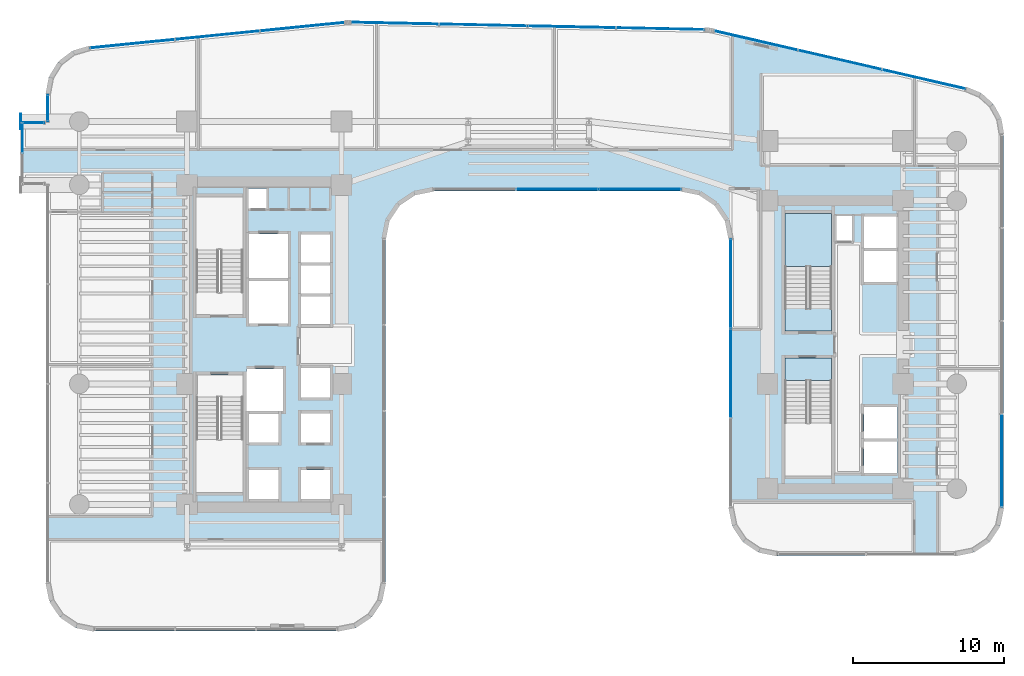
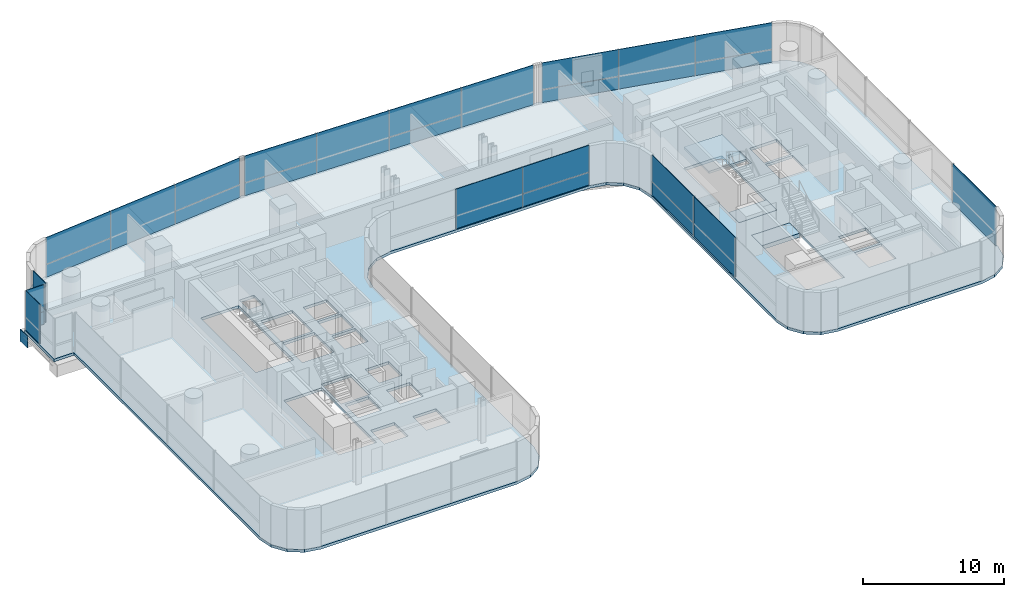
# One storey, part 30 of 40: 29 plates, 4 slabs, 10 elements without a shape of their own.
"""IFC4 building model written with IfcOpenShell, lengths in metres."""

from ifc_helpers import new_model, si_unit, direction, frame, origin, origin_2d, place, context, subcontext, project, spatial, polyline, rectangle, outline, extrude, source, transform, mapped, material, layer, layer_set, type_object, element, aggregate, save


model = new_model("IFC4")

# Units and contexts
model_context = context("Model", 3, precision=1e-05, world=origin(), true_north=direction((0.0, 1.0)))
body_context = subcontext(model_context, "Body", "Model", "MODEL_VIEW")
ifc_project = project(units=[si_unit("LENGTHUNIT", "METRE"), si_unit("AREAUNIT", "SQUARE_METRE"), si_unit("VOLUMEUNIT", "CUBIC_METRE"), si_unit("PLANEANGLEUNIT", "RADIAN"), si_unit("MASSUNIT", "GRAM", prefix="KILO")], contexts=[model_context])

# Site, building, storey
site_placement = place(None, origin())
site = spatial("IfcSite", under=ifc_project, at=site_placement, CompositionType="ELEMENT")
building_placement = place(site_placement, origin())
building = spatial("IfcBuilding", under=site, at=building_placement, Name="Valdorenza Pilgrim Sanctuary Tower", CompositionType="ELEMENT")
storey_placement = place(building_placement, frame((0.0, 0.0, 48.199951171875)))
storey = spatial("IfcBuildingStorey", under=building, at=storey_placement, Name="L11", CompositionType="ELEMENT", Elevation=48.199951171875)

# Slab
ifc_material_1 = material(Name="Concrete C40/50", Category="concrete")
ifc_layer_1 = layer(ifc_material_1, 0.239990234375, Name="Concrete C40/50")
ifc_layer_set_1 = layer_set([ifc_layer_1], Name="Concrete C40/50")
slab_type_1 = type_object("IfcSlabType", Name="SLAB-FLR-220", PredefinedType="FLOOR", material=ifc_layer_set_1)
slab_1_placement = place(storey_placement, frame((0.0, 0.0, -0.239990234375)))
element("IfcSlab", 1, at=slab_1_placement, inside=storey, type_object=slab_type_1, Name="L11 Structural Floor Slab 1", PredefinedType="FLOOR", context=body_context, shape_type="SweptSolid", body=[
    extrude(outline(polyline([(-31.785888671875, 17.754638671875), (-31.172607421875, 18.751220703125), (-30.241943359375, 19.460693359375), (-29.118408203125, 19.7880859375), (-12.192138671875, 21.480712890625), (-11.999755859375, 21.494140625), (-11.9033203125, 21.49658203125), (11.66943359375, 21.0068359375), (11.833984375, 20.999267578125), (11.997802734375, 20.983154296875), (12.160888671875, 20.95849609375), (12.322265625, 20.925537109375), (29.01953125, 17.072509765625), (30.00732421875, 16.660888671875), (30.80419921875, 15.946533203125), (31.321044921875, 15.009521484375), (31.5, 13.954345703125), (31.5, -10.800048828125), (31.25634765625, -12.024658203125), (30.562744140625, -13.062744140625), (29.524658203125, -13.75634765625), (28.300048828125, -14.0), (16.5, -14.0), (15.275390625, -13.75634765625), (14.2373046875, -13.062744140625), (13.543701171875, -12.024658203125), (13.300048828125, -10.800048828125), (13.300048828125, 7.0), (13.056396484375, 8.224609375), (12.36279296875, 9.2626953125), (11.32470703125, 9.956298828125), (10.10009765625, 10.199951171875), (-6.300048828125, 10.199951171875), (-7.524658203125, 9.956298828125), (-8.562744140625, 9.2626953125), (-9.25634765625, 8.224609375), (-9.5, 7.0), (-9.5, -15.800048828125), (-9.74365234375, -17.024658203125), (-10.437255859375, -18.062744140625), (-11.475341796875, -18.75634765625), (-12.699951171875, -19.0), (-28.800048828125, -19.0), (-30.024658203125, -18.75634765625), (-31.062744140625, -18.062744140625), (-31.75634765625, -17.024658203125), (-32.0, -15.800048828125), (-32.0, 10.60009765625), (-33.64990234375, 10.60009765625), (-33.64990234375, 14.800048828125), (-32.0, 14.800048828125), (-32.0, 16.60400390625), (-31.785888671875, 17.754638671875)]), holes=[polyline([(-16.60009765625, -10.25), (-16.60009765625, -8.300048828125), (-18.550048828125, -8.300048828125), (-18.550048828125, -10.25), (-16.60009765625, -10.25)]), polyline([(-22.050048828125, -9.800048828125), (-18.93994140625, -9.800048828125), (-18.93994140625, -3.485107421875), (-18.93994140625, -2.0), (-22.050048828125, -2.0), (-22.050048828125, -3.485107421875), (-22.050048828125, -9.800048828125)]), polyline([(-18.550048828125, -6.5), (-16.60009765625, -6.5), (-16.60009765625, -4.60009765625), (-18.550048828125, -4.60009765625), (-18.550048828125, -6.5)]), polyline([(-13.179931640625, -6.5), (-13.179931640625, -4.550048828125), (-15.10009765625, -4.550048828125), (-15.10009765625, -6.5), (-13.179931640625, -6.5)]), polyline([(-18.719970703125, -4.39990234375), (-16.300048828125, -4.39990234375), (-16.300048828125, -1.60009765625), (-18.719970703125, -1.60009765625), (-18.719970703125, -4.39990234375)]), polyline([(-13.179931640625, -3.5), (-13.179931640625, -1.550048828125), (-15.10009765625, -1.550048828125), (-15.10009765625, -3.5), (-13.179931640625, -3.5)]), polyline([(-22.050048828125, 2.0), (-18.93994140625, 2.0), (-18.93994140625, 3.485107421875), (-18.93994140625, 9.800048828125), (-22.050048828125, 9.800048828125), (-22.050048828125, 3.485107421875), (-22.050048828125, 2.0)]), polyline([(-18.550048828125, 1.39990234375), (-15.949951171875, 1.39990234375), (-15.949951171875, 4.22509765625), (-18.550048828125, 4.22509765625), (-18.550048828125, 1.39990234375)]), polyline([(-15.949951171875, 4.425048828125), (-15.949951171875, 7.35009765625), (-18.550048828125, 7.35009765625), (-18.550048828125, 4.425048828125), (-15.949951171875, 4.425048828125)]), polyline([(-15.10009765625, 5.449951171875), (-13.179931640625, 5.449951171875), (-13.179931640625, 7.300048828125), (-15.10009765625, 7.300048828125), (-15.10009765625, 5.449951171875)]), polyline([(-17.360107421875, 9.030029296875), (-17.360107421875, 10.35009765625), (-18.570068359375, 10.35009765625), (-18.570068359375, 9.030029296875), (-17.360107421875, 9.030029296875)]), polyline([(-15.10009765625, -10.25), (-13.179931640625, -10.25), (-13.179931640625, -8.300048828125), (-15.10009765625, -8.300048828125), (-15.10009765625, -10.25)]), polyline([(22.25, -8.5), (24.47998046875, -8.5), (24.47998046875, -6.425048828125), (22.25, -6.425048828125), (22.25, -8.5)]), polyline([(17.0, -2.385009765625), (17.0, -8.699951171875), (20.110107421875, -8.699951171875), (20.110107421875, -2.385009765625), (20.110107421875, -0.89990234375), (17.0, -0.89990234375), (17.0, -2.385009765625)]), polyline([(22.25, -6.22509765625), (24.47998046875, -6.22509765625), (24.47998046875, -4.14990234375), (22.25, -4.14990234375), (22.25, -6.22509765625)]), polyline([(17.0, 0.89990234375), (20.110107421875, 0.89990234375), (20.110107421875, 2.385009765625), (20.110107421875, 8.699951171875), (17.0, 8.699951171875), (17.0, 2.385009765625), (17.0, 0.89990234375)]), polyline([(-15.10009765625, 1.35009765625), (-13.179931640625, 1.35009765625), (-13.179931640625, 3.199951171875), (-15.10009765625, 3.199951171875), (-15.10009765625, 1.35009765625)]), polyline([(-15.10009765625, 3.39990234375), (-13.179931640625, 3.39990234375), (-13.179931640625, 5.25), (-15.10009765625, 5.25), (-15.10009765625, 3.39990234375)]), polyline([(22.25, 4.14990234375), (24.47998046875, 4.14990234375), (24.47998046875, 6.22509765625), (22.25, 6.22509765625), (22.25, 4.14990234375)]), polyline([(22.25, 6.425048828125), (24.47998046875, 6.425048828125), (24.47998046875, 8.5), (22.25, 8.5), (22.25, 6.425048828125)]), polyline([(20.409912109375, 6.860107421875), (21.489990234375, 6.860107421875), (21.489990234375, 8.52001953125), (20.409912109375, 8.52001953125), (20.409912109375, 6.860107421875)])]), origin(), (0.0, 0.0, 1.0), 0.239990234375),
])

# Stair, slab
stair_type = type_object("IfcStairType", Name="STR-DOG-CORE", PredefinedType="HALF_TURN_STAIR", material=ifc_material_1)
stair_placement = place(storey_placement, origin())
stair = element("IfcStair", 2, at=stair_placement, inside=storey, type_object=stair_type, Name="L11 ST-B1", PredefinedType="HALF_TURN_STAIR")
ifc_layer_2 = layer(ifc_material_1, 0.199951171875, Name="Concrete C40/50")
ifc_layer_set_2 = layer_set([ifc_layer_2], Name="Concrete C40/50")
slab_type_2 = type_object("IfcSlabType", Name="SLAB-STL-200", PredefinedType="LANDING", material=ifc_layer_set_2)
slab_2_placement = place(storey_placement, frame((0.0, 0.0, 1.650146484375)))
slab_2 = element("IfcSlab", 3, at=slab_2_placement, type_object=slab_type_2, Name="ST-B1 landing 1", PredefinedType="LANDING", context=body_context, shape_type="SweptSolid", body=[
    extrude(outline(polyline([(20.110107421875, 5.179931640625), (20.110107421875, 8.699951171875), (17.0, 8.699951171875), (17.0, 5.179931640625), (20.110107421875, 5.179931640625)])), origin(), (0.0, 0.0, 1.0), 0.199951171875),
])
aggregate(stair, [slab_2])

# Slabs
ifc_material_2 = material(Name="Concrete C50/60", Category="concrete")
ifc_layer_3 = layer(ifc_material_2, 0.39990234375, Name="Concrete C50/60")
ifc_layer_set_3 = layer_set([ifc_layer_3], Name="Concrete C50/60")
slab_type_3 = type_object("IfcSlabType", Name="SLAB-TRF-400", PredefinedType="FLOOR", material=ifc_layer_set_3)
slab_3_placement = place(storey_placement, frame((0.0, 0.0, -0.35986328125)))
element("IfcSlab", 4, at=slab_3_placement, inside=storey, type_object=slab_type_3, Name="L11 ST-B1 Structural Stair Landing Bearing Slab", PredefinedType="FLOOR", context=body_context, shape_type="SweptSolid", body=[
    extrude(outline(polyline([(17.0, 0.89990234375), (20.110107421875, 0.89990234375), (20.110107421875, 2.385009765625), (17.0, 2.385009765625), (17.0, 0.89990234375)])), origin(), (0.0, 0.0, 1.0), 0.35986328125),
])
slab_4_placement = place(storey_placement, frame((0.0, 0.0, -0.35986328125)))
element("IfcSlab", 5, at=slab_4_placement, inside=storey, type_object=slab_type_3, Name="L11 ST-B2 Structural Stair Landing Bearing Slab", PredefinedType="FLOOR", context=body_context, shape_type="SweptSolid", body=[
    extrude(outline(polyline([(17.0, -2.385009765625), (20.110107421875, -2.385009765625), (20.110107421875, -0.89990234375), (17.0, -0.89990234375), (17.0, -2.385009765625)])), origin(), (0.0, 0.0, 1.0), 0.35986328125),
])

# Plate
ifc_material_3 = material(Name="Steel ASTM A572 Grade 42", Category="steel")
ifc_layer_4 = layer(ifc_material_3, 0.06005859375, Name="Steel ASTM A572 Grade 42")
ifc_layer_set_4 = layer_set([ifc_layer_4], Name="Steel ASTM A572 Grade 42")
plate_type_1 = type_object("IfcPlateType", Name="PLT-CAP-60", PredefinedType="SHEET", material=ifc_layer_set_4)
shared_shape_1 = source(origin(), body_context, "Body", "SweptSolid", [
    extrude(rectangle(XDim=0.06005859375, YDim=1.0400390625, at=origin_2d()), origin(), (0.0, 0.0, 1.0), 1.0400390625),
])
plate_1_placement = place(storey_placement, frame((-33.679931640625, 14.800048828125, -1.260009765625), z_axis=(0.0, 0.0, 1.0), x_axis=(1.0, 0.0, 0.0)))
element("IfcPlate", 6, at=plate_1_placement, inside=storey, type_object=plate_type_1, Name="L11 BOX-WA-L11 Cantilever Tip End Cap N", PredefinedType="SHEET", context=body_context, shape_type="MappedRepresentation", body=[
    mapped(shared_shape_1, transform((0.0, 0.0, 0.0), x_axis=(1.0, 0.0, 0.0), y_axis=(0.0, 1.0, 0.0), z_axis=(0.0, 0.0, 1.0), scale=1.0)),
])

# Curtain wall, plates
ifc_material_4 = material(Name="Curtain-wall IGU glazing", Category="glass")
curtain_wall_type_1 = type_object("IfcCurtainWallType", Name="CW-SYS-02", PredefinedType="NOTDEFINED", material=ifc_material_4)
curtain_wall_1_placement = place(storey_placement, origin())
curtain_wall_1 = element("IfcCurtainWall", 7, at=curtain_wall_1_placement, inside=storey, type_object=curtain_wall_type_1, Name="L11 Curtain Wall CW-L11-1-6", PredefinedType="NOTDEFINED")
ifc_material_5 = material(Name="Honed travertine limestone", Category="masonry")
ifc_layer_5 = layer(ifc_material_5, 0.050048828125, Name="Honed travertine limestone")
ifc_layer_set_5 = layer_set([ifc_layer_5], Name="Honed travertine limestone")
plate_type_2 = type_object("IfcPlateType", Name="CW-SPN-TRV", PredefinedType="USERDEFINED", material=ifc_layer_set_5)
shared_shape_2 = source(origin(), body_context, "Body", "SweptSolid", [
    extrude(rectangle(XDim=5.646484375, YDim=0.06005859375, at=origin_2d()), origin(), (0.0, 0.0, 1.0), 1.10009765625),
])
plate_2_placement = place(storey_placement, frame((-26.2783203125, 19.961669921875, 0.010009765625), z_axis=(0.0, 0.0, 1.0), x_axis=(0.995038220239, 0.099493418189, 0.0)))
plate_2 = element("IfcPlate", 8, at=plate_2_placement, type_object=plate_type_2, Name="CW-L11-1-6 Travertine Spandrel 1", ObjectType="SPANDREL", PredefinedType="USERDEFINED", context=body_context, shape_type="MappedRepresentation", body=[
    mapped(shared_shape_2, transform((0.0, 0.0, 0.0), x_axis=(1.0, 0.0, 0.0), y_axis=(0.0, 1.0, 0.0), z_axis=(0.0, 0.0, 1.0), scale=1.0)),
])
plate_3_placement = place(storey_placement, frame((-15.001220703125, 21.08935546875, 0.010009765625), z_axis=(0.0, 0.0, 1.0), x_axis=(0.995038220239, 0.099493418189, 0.0)))
plate_3 = element("IfcPlate", 9, at=plate_3_placement, type_object=plate_type_2, Name="CW-L11-1-6 Travertine Spandrel 3", ObjectType="SPANDREL", PredefinedType="USERDEFINED", context=body_context, shape_type="MappedRepresentation", body=[
    mapped(shared_shape_2, transform((0.0, 0.0, 0.0), x_axis=(1.0, 0.0, 0.0), y_axis=(0.0, 1.0, 0.0), z_axis=(0.0, 0.0, 1.0), scale=1.0)),
])
ifc_material_6 = material(Name="Ceramic-fritted low-E IGU glazing", Category="glass")
ifc_layer_6 = layer(ifc_material_6, 0.035888671875, Name="Ceramic-fritted low-E IGU glazing")
ifc_layer_set_6 = layer_set([ifc_layer_6], Name="Ceramic-fritted low-E IGU glazing")
plate_type_3 = type_object("IfcPlateType", Name="CW-GLZ-IGU", PredefinedType="USERDEFINED", material=ifc_layer_set_6)
shared_shape_3 = source(origin(), body_context, "Body", "SweptSolid", [
    extrude(rectangle(XDim=5.646484375, YDim=0.050048828125, at=origin_2d()), origin(), (0.0, 0.0, 1.0), 2.320068359375),
])
plate_4_placement = place(storey_placement, frame((-26.2783203125, 19.961669921875, 1.1298828125), z_axis=(0.0, 0.0, 1.0), x_axis=(0.995038220239, 0.099493418189, 0.0)))
plate_4 = element("IfcPlate", 10, at=plate_4_placement, type_object=plate_type_3, Name="CW-L11-1-6 Facade Panel 1", ObjectType="GLAZING", PredefinedType="USERDEFINED", context=body_context, shape_type="MappedRepresentation", body=[
    mapped(shared_shape_3, transform((0.0, 0.0, 0.0), x_axis=(1.0, 0.0, 0.0), y_axis=(0.0, 1.0, 0.0), z_axis=(0.0, 0.0, 1.0), scale=1.0)),
])
plate_5_placement = place(storey_placement, frame((-15.001220703125, 21.08935546875, 1.1298828125), z_axis=(0.0, 0.0, 1.0), x_axis=(0.995038220239, 0.099493418189, 0.0)))
plate_5 = element("IfcPlate", 11, at=plate_5_placement, type_object=plate_type_3, Name="CW-L11-1-6 Facade Panel 3", ObjectType="GLAZING", PredefinedType="USERDEFINED", context=body_context, shape_type="MappedRepresentation", body=[
    mapped(shared_shape_3, transform((0.0, 0.0, 0.0), x_axis=(1.0, 0.0, 0.0), y_axis=(0.0, 1.0, 0.0), z_axis=(0.0, 0.0, 1.0), scale=1.0)),
])
shared_shape_4 = source(origin(), body_context, "Body", "SweptSolid", [
    extrude(rectangle(XDim=5.646484375, YDim=0.050048828125, at=origin_2d()), origin(), (0.0, 0.0, 1.0), 3.43994140625),
])
plate_6_placement = place(storey_placement, frame((-20.6396484375, 20.525634765625, 0.010009765625), z_axis=(0.0, 0.0, 1.0), x_axis=(0.995038220239, 0.099493418189, 0.0)))
plate_6 = element("IfcPlate", 12, at=plate_6_placement, type_object=plate_type_3, Name="CW-L11-1-6 Full-Height Facade Panel 2", ObjectType="GLAZING", PredefinedType="USERDEFINED", context=body_context, shape_type="MappedRepresentation", body=[
    mapped(shared_shape_4, transform((0.0, 0.0, 0.0), x_axis=(1.0, 0.0, 0.0), y_axis=(0.0, 1.0, 0.0), z_axis=(0.0, 0.0, 1.0), scale=1.0)),
])
aggregate(curtain_wall_1, [plate_2, plate_4, plate_6, plate_3, plate_5])

curtain_wall_2_placement = place(storey_placement, origin())
curtain_wall_2 = element("IfcCurtainWall", 13, at=curtain_wall_2_placement, inside=storey, type_object=curtain_wall_type_1, Name="L11 Curtain Wall CW-L11-1-11", PredefinedType="NOTDEFINED")
shared_shape_5 = source(origin(), body_context, "Body", "SweptSolid", [
    extrude(rectangle(XDim=5.849853515625, YDim=0.06005859375, at=origin_2d()), origin(), (0.0, 0.0, 1.0), 1.10009765625),
])
plate_7_placement = place(storey_placement, frame((-8.8740234375, 21.324951171875, 0.010009765625), z_axis=(0.0, 0.0, 1.0), x_axis=(0.999783234613, -0.020820273474, 0.0)))
plate_7 = element("IfcPlate", 14, at=plate_7_placement, type_object=plate_type_2, Name="CW-L11-1-11 Travertine Spandrel 1", ObjectType="SPANDREL", PredefinedType="USERDEFINED", context=body_context, shape_type="MappedRepresentation", body=[
    mapped(shared_shape_5, transform((0.0, 0.0, 0.0), x_axis=(1.0, 0.0, 0.0), y_axis=(0.0, 1.0, 0.0), z_axis=(0.0, 0.0, 1.0), scale=1.0)),
])
plate_8_placement = place(storey_placement, frame((2.86279296875, 21.080322265625, 0.010009765625), z_axis=(0.0, 0.0, 1.0), x_axis=(0.999783234613, -0.020820273474, 0.0)))
plate_8 = element("IfcPlate", 15, at=plate_8_placement, type_object=plate_type_2, Name="CW-L11-1-11 Travertine Spandrel 3", ObjectType="SPANDREL", PredefinedType="USERDEFINED", context=body_context, shape_type="MappedRepresentation", body=[
    mapped(shared_shape_5, transform((0.0, 0.0, 0.0), x_axis=(1.0, 0.0, 0.0), y_axis=(0.0, 1.0, 0.0), z_axis=(0.0, 0.0, 1.0), scale=1.0)),
])
shared_shape_6 = source(origin(), body_context, "Body", "SweptSolid", [
    extrude(rectangle(XDim=5.849853515625, YDim=0.050048828125, at=origin_2d()), origin(), (0.0, 0.0, 1.0), 2.320068359375),
])
plate_9_placement = place(storey_placement, frame((-8.8740234375, 21.324951171875, 1.1298828125), z_axis=(0.0, 0.0, 1.0), x_axis=(0.999783234613, -0.020820273474, 0.0)))
plate_9 = element("IfcPlate", 16, at=plate_9_placement, type_object=plate_type_3, Name="CW-L11-1-11 Facade Panel 1", ObjectType="GLAZING", PredefinedType="USERDEFINED", context=body_context, shape_type="MappedRepresentation", body=[
    mapped(shared_shape_6, transform((0.0, 0.0, 0.0), x_axis=(1.0, 0.0, 0.0), y_axis=(0.0, 1.0, 0.0), z_axis=(0.0, 0.0, 1.0), scale=1.0)),
])
plate_10_placement = place(storey_placement, frame((2.86279296875, 21.080322265625, 1.1298828125), z_axis=(0.0, 0.0, 1.0), x_axis=(0.999783234613, -0.020820273474, 0.0)))
plate_10 = element("IfcPlate", 17, at=plate_10_placement, type_object=plate_type_3, Name="CW-L11-1-11 Facade Panel 3", ObjectType="GLAZING", PredefinedType="USERDEFINED", context=body_context, shape_type="MappedRepresentation", body=[
    mapped(shared_shape_6, transform((0.0, 0.0, 0.0), x_axis=(1.0, 0.0, 0.0), y_axis=(0.0, 1.0, 0.0), z_axis=(0.0, 0.0, 1.0), scale=1.0)),
])
shared_shape_7 = source(origin(), body_context, "Body", "SweptSolid", [
    extrude(rectangle(XDim=5.849853515625, YDim=0.050048828125, at=origin_2d()), origin(), (0.0, 0.0, 1.0), 3.43994140625),
])
plate_11_placement = place(storey_placement, frame((-3.005615234375, 21.20263671875, 0.010009765625), z_axis=(0.0, 0.0, 1.0), x_axis=(0.999783234613, -0.020820273474, 0.0)))
plate_11 = element("IfcPlate", 18, at=plate_11_placement, type_object=plate_type_3, Name="CW-L11-1-11 Full-Height Facade Panel 2", ObjectType="GLAZING", PredefinedType="USERDEFINED", context=body_context, shape_type="MappedRepresentation", body=[
    mapped(shared_shape_7, transform((0.0, 0.0, 0.0), x_axis=(1.0, 0.0, 0.0), y_axis=(0.0, 1.0, 0.0), z_axis=(0.0, 0.0, 1.0), scale=1.0)),
])
plate_12_placement = place(storey_placement, frame((8.7314453125, 20.9580078125, 0.010009765625), z_axis=(0.0, 0.0, 1.0), x_axis=(0.999783234613, -0.020820273474, 0.0)))
plate_12 = element("IfcPlate", 19, at=plate_12_placement, type_object=plate_type_3, Name="CW-L11-1-11 Full-Height Facade Panel 4", ObjectType="GLAZING", PredefinedType="USERDEFINED", context=body_context, shape_type="MappedRepresentation", body=[
    mapped(shared_shape_7, transform((0.0, 0.0, 0.0), x_axis=(1.0, 0.0, 0.0), y_axis=(0.0, 1.0, 0.0), z_axis=(0.0, 0.0, 1.0), scale=1.0)),
])
aggregate(curtain_wall_2, [plate_7, plate_9, plate_11, plate_8, plate_10, plate_12])

curtain_wall_type_2 = type_object("IfcCurtainWallType", Name="CW-SYS-03", PredefinedType="NOTDEFINED", material=ifc_material_4)
curtain_wall_3_placement = place(storey_placement, origin())
curtain_wall_3 = element("IfcCurtainWall", 20, at=curtain_wall_3_placement, inside=storey, type_object=curtain_wall_type_2, Name="L11 Curtain Wall CW-L11-1-16", PredefinedType="NOTDEFINED")
shared_shape_8 = source(origin(), body_context, "Body", "SweptSolid", [
    extrude(rectangle(XDim=5.6884765625, YDim=0.06005859375, at=origin_2d()), origin(), (0.0, 0.0, 1.0), 1.10009765625),
])
plate_13_placement = place(storey_placement, frame((15.080078125, 20.17626953125, 0.010009765625), z_axis=(0.0, 0.0, 1.0), x_axis=(0.974389691758, -0.224866023659, 0.0)))
plate_13 = element("IfcPlate", 21, at=plate_13_placement, type_object=plate_type_2, Name="CW-L11-1-16 Travertine Spandrel 1", ObjectType="SPANDREL", PredefinedType="USERDEFINED", context=body_context, shape_type="MappedRepresentation", body=[
    mapped(shared_shape_8, transform((0.0, 0.0, 0.0), x_axis=(1.0, 0.0, 0.0), y_axis=(0.0, 1.0, 0.0), z_axis=(0.0, 0.0, 1.0), scale=1.0)),
])
plate_14_placement = place(storey_placement, frame((26.20458984375, 17.609130859375, 0.010009765625), z_axis=(0.0, 0.0, 1.0), x_axis=(0.974389691758, -0.224866023659, 0.0)))
plate_14 = element("IfcPlate", 22, at=plate_14_placement, type_object=plate_type_2, Name="CW-L11-1-16 Travertine Spandrel 3", ObjectType="SPANDREL", PredefinedType="USERDEFINED", context=body_context, shape_type="MappedRepresentation", body=[
    mapped(shared_shape_8, transform((0.0, 0.0, 0.0), x_axis=(1.0, 0.0, 0.0), y_axis=(0.0, 1.0, 0.0), z_axis=(0.0, 0.0, 1.0), scale=1.0)),
])
shared_shape_9 = source(origin(), body_context, "Body", "SweptSolid", [
    extrude(rectangle(XDim=5.6884765625, YDim=0.050048828125, at=origin_2d()), origin(), (0.0, 0.0, 1.0), 2.320068359375),
])
plate_15_placement = place(storey_placement, frame((15.080078125, 20.17626953125, 1.1298828125), z_axis=(0.0, 0.0, 1.0), x_axis=(0.974389691758, -0.224866023659, 0.0)))
plate_15 = element("IfcPlate", 23, at=plate_15_placement, type_object=plate_type_3, Name="CW-L11-1-16 Facade Panel 1", ObjectType="GLAZING", PredefinedType="USERDEFINED", context=body_context, shape_type="MappedRepresentation", body=[
    mapped(shared_shape_9, transform((0.0, 0.0, 0.0), x_axis=(1.0, 0.0, 0.0), y_axis=(0.0, 1.0, 0.0), z_axis=(0.0, 0.0, 1.0), scale=1.0)),
])
plate_16_placement = place(storey_placement, frame((26.20458984375, 17.609130859375, 1.1298828125), z_axis=(0.0, 0.0, 1.0), x_axis=(0.974389691758, -0.224866023659, 0.0)))
plate_16 = element("IfcPlate", 24, at=plate_16_placement, type_object=plate_type_3, Name="CW-L11-1-16 Facade Panel 3", ObjectType="GLAZING", PredefinedType="USERDEFINED", context=body_context, shape_type="MappedRepresentation", body=[
    mapped(shared_shape_9, transform((0.0, 0.0, 0.0), x_axis=(1.0, 0.0, 0.0), y_axis=(0.0, 1.0, 0.0), z_axis=(0.0, 0.0, 1.0), scale=1.0)),
])
shared_shape_10 = source(origin(), body_context, "Body", "SweptSolid", [
    extrude(rectangle(XDim=5.6884765625, YDim=0.050048828125, at=origin_2d()), origin(), (0.0, 0.0, 1.0), 3.43994140625),
])
plate_17_placement = place(storey_placement, frame((20.642333984375, 18.892578125, 0.010009765625), z_axis=(0.0, 0.0, 1.0), x_axis=(0.974389691758, -0.224866023659, 0.0)))
plate_17 = element("IfcPlate", 25, at=plate_17_placement, type_object=plate_type_3, Name="CW-L11-1-16 Full-Height Facade Panel 2", ObjectType="GLAZING", PredefinedType="USERDEFINED", context=body_context, shape_type="MappedRepresentation", body=[
    mapped(shared_shape_10, transform((0.0, 0.0, 0.0), x_axis=(1.0, 0.0, 0.0), y_axis=(0.0, 1.0, 0.0), z_axis=(0.0, 0.0, 1.0), scale=1.0)),
])
aggregate(curtain_wall_3, [plate_13, plate_15, plate_17, plate_14, plate_16])

# Curtain wall, plate
curtain_wall_4_placement = place(storey_placement, origin())
curtain_wall_4 = element("IfcCurtainWall", 26, at=curtain_wall_4_placement, inside=storey, type_object=curtain_wall_type_2, Name="L11 Curtain Wall CW-L11-1-21", PredefinedType="NOTDEFINED")
shared_shape_11 = source(origin(), body_context, "Body", "SweptSolid", [
    extrude(rectangle(XDim=6.16357421875, YDim=0.050048828125, at=origin_2d()), origin(), (0.0, 0.0, 1.0), 3.43994140625),
])
plate_18_placement = place(storey_placement, frame((31.389892578125, -7.697509765625, 0.010009765625), z_axis=(0.0, 0.0, 1.0), x_axis=(0.0, -1.0, 0.0)))
plate_18 = element("IfcPlate", 27, at=plate_18_placement, type_object=plate_type_3, Name="CW-L11-1-21 Full-Height Facade Panel 4", ObjectType="GLAZING", PredefinedType="USERDEFINED", context=body_context, shape_type="MappedRepresentation", body=[
    mapped(shared_shape_11, transform((0.0, 0.0, 0.0), x_axis=(1.0, 0.0, 0.0), y_axis=(0.0, 1.0, 0.0), z_axis=(0.0, 0.0, 1.0), scale=1.0)),
])
aggregate(curtain_wall_4, [plate_18])

# Curtain wall, plates
curtain_wall_5_placement = place(storey_placement, origin())
curtain_wall_5 = element("IfcCurtainWall", 28, at=curtain_wall_5_placement, inside=storey, type_object=curtain_wall_type_2, Name="L11 Curtain Wall CW-L11-1-31", PredefinedType="NOTDEFINED")
shared_shape_12 = source(origin(), body_context, "Body", "SweptSolid", [
    extrude(rectangle(XDim=5.913330078125, YDim=0.06005859375, at=origin_2d()), origin(), (0.0, 0.0, 1.0), 1.10009765625),
])
plate_19_placement = place(storey_placement, frame((13.409912109375, 4.044189453125, 0.010009765625), z_axis=(0.0, 0.0, 1.0), x_axis=(0.0, 1.0, 0.0)))
plate_19 = element("IfcPlate", 29, at=plate_19_placement, type_object=plate_type_2, Name="CW-L11-1-31 Travertine Spandrel 3", ObjectType="SPANDREL", PredefinedType="USERDEFINED", context=body_context, shape_type="MappedRepresentation", body=[
    mapped(shared_shape_12, transform((0.0, 0.0, 0.0), x_axis=(1.0, 0.0, 0.0), y_axis=(0.0, 1.0, 0.0), z_axis=(0.0, 0.0, 1.0), scale=1.0)),
])
shared_shape_13 = source(origin(), body_context, "Body", "SweptSolid", [
    extrude(rectangle(XDim=5.913330078125, YDim=0.050048828125, at=origin_2d()), origin(), (0.0, 0.0, 1.0), 2.320068359375),
])
plate_20_placement = place(storey_placement, frame((13.409912109375, 4.044189453125, 1.1298828125), z_axis=(0.0, 0.0, 1.0), x_axis=(0.0, 1.0, 0.0)))
plate_20 = element("IfcPlate", 30, at=plate_20_placement, type_object=plate_type_3, Name="CW-L11-1-31 Facade Panel 3", ObjectType="GLAZING", PredefinedType="USERDEFINED", context=body_context, shape_type="MappedRepresentation", body=[
    mapped(shared_shape_13, transform((0.0, 0.0, 0.0), x_axis=(1.0, 0.0, 0.0), y_axis=(0.0, 1.0, 0.0), z_axis=(0.0, 0.0, 1.0), scale=1.0)),
])
shared_shape_14 = source(origin(), body_context, "Body", "SweptSolid", [
    extrude(rectangle(XDim=5.913330078125, YDim=0.050048828125, at=origin_2d()), origin(), (0.0, 0.0, 1.0), 3.43994140625),
])
plate_21_placement = place(storey_placement, frame((13.409912109375, -1.88916015625, 0.010009765625), z_axis=(0.0, 0.0, 1.0), x_axis=(0.0, 1.0, 0.0)))
plate_21 = element("IfcPlate", 31, at=plate_21_placement, type_object=plate_type_3, Name="CW-L11-1-31 Full-Height Facade Panel 2", ObjectType="GLAZING", PredefinedType="USERDEFINED", context=body_context, shape_type="MappedRepresentation", body=[
    mapped(shared_shape_14, transform((0.0, 0.0, 0.0), x_axis=(1.0, 0.0, 0.0), y_axis=(0.0, 1.0, 0.0), z_axis=(0.0, 0.0, 1.0), scale=1.0)),
])
aggregate(curtain_wall_5, [plate_21, plate_19, plate_20])

curtain_wall_6_placement = place(storey_placement, origin())
curtain_wall_6 = element("IfcCurtainWall", 32, at=curtain_wall_6_placement, inside=storey, type_object=curtain_wall_type_1, Name="L11 Curtain Wall CW-L11-1-36", PredefinedType="NOTDEFINED")
shared_shape_15 = source(origin(), body_context, "Body", "SweptSolid", [
    extrude(rectangle(XDim=5.453857421875, YDim=0.06005859375, at=origin_2d()), origin(), (0.0, 0.0, 1.0), 1.10009765625),
])
plate_22_placement = place(storey_placement, frame((7.373779296875, 10.31005859375, 0.010009765625), z_axis=(0.0, 0.0, 1.0), x_axis=(-1.0, 0.0, 0.0)))
plate_22 = element("IfcPlate", 33, at=plate_22_placement, type_object=plate_type_2, Name="CW-L11-1-36 Travertine Spandrel 1", ObjectType="SPANDREL", PredefinedType="USERDEFINED", context=body_context, shape_type="MappedRepresentation", body=[
    mapped(shared_shape_15, transform((0.0, 0.0, 0.0), x_axis=(1.0, 0.0, 0.0), y_axis=(0.0, 1.0, 0.0), z_axis=(0.0, 0.0, 1.0), scale=1.0)),
])
shared_shape_16 = source(origin(), body_context, "Body", "SweptSolid", [
    extrude(rectangle(XDim=5.453857421875, YDim=0.050048828125, at=origin_2d()), origin(), (0.0, 0.0, 1.0), 2.320068359375),
])
plate_23_placement = place(storey_placement, frame((7.373779296875, 10.31005859375, 1.1298828125), z_axis=(0.0, 0.0, 1.0), x_axis=(-1.0, 0.0, 0.0)))
plate_23 = element("IfcPlate", 34, at=plate_23_placement, type_object=plate_type_3, Name="CW-L11-1-36 Facade Panel 1", ObjectType="GLAZING", PredefinedType="USERDEFINED", context=body_context, shape_type="MappedRepresentation", body=[
    mapped(shared_shape_16, transform((0.0, 0.0, 0.0), x_axis=(1.0, 0.0, 0.0), y_axis=(0.0, 1.0, 0.0), z_axis=(0.0, 0.0, 1.0), scale=1.0)),
])
shared_shape_17 = source(origin(), body_context, "Body", "SweptSolid", [
    extrude(rectangle(XDim=5.453857421875, YDim=0.050048828125, at=origin_2d()), origin(), (0.0, 0.0, 1.0), 3.43994140625),
])
plate_24_placement = place(storey_placement, frame((1.89990234375, 10.31005859375, 0.010009765625), z_axis=(0.0, 0.0, 1.0), x_axis=(-1.0, 0.0, 0.0)))
plate_24 = element("IfcPlate", 35, at=plate_24_placement, type_object=plate_type_3, Name="CW-L11-1-36 Full-Height Facade Panel 2", ObjectType="GLAZING", PredefinedType="USERDEFINED", context=body_context, shape_type="MappedRepresentation", body=[
    mapped(shared_shape_17, transform((0.0, 0.0, 0.0), x_axis=(1.0, 0.0, 0.0), y_axis=(0.0, 1.0, 0.0), z_axis=(0.0, 0.0, 1.0), scale=1.0)),
])
aggregate(curtain_wall_6, [plate_22, plate_23, plate_24])

curtain_wall_7_placement = place(storey_placement, origin())
curtain_wall_7 = element("IfcCurtainWall", 36, at=curtain_wall_7_placement, inside=storey, type_object=curtain_wall_type_1, Name="L11 Curtain Wall CW-L11-BOX-WA-L11-N", PredefinedType="NOTDEFINED")
shared_shape_18 = source(origin(), body_context, "Body", "SweptSolid", [
    extrude(rectangle(XDim=1.43994140625, YDim=0.06005859375, at=origin_2d()), origin(), (0.0, 0.0, 1.0), 1.10009765625),
])
plate_25_placement = place(storey_placement, frame((-32.840087890625, 14.719970703125, 0.010009765625), z_axis=(0.0, 0.0, 1.0), x_axis=(1.0, 0.0, 0.0)))
plate_25 = element("IfcPlate", 37, at=plate_25_placement, type_object=plate_type_2, Name="CW-L11-BOX-WA-L11-N Travertine Spandrel 1", ObjectType="SPANDREL", PredefinedType="USERDEFINED", context=body_context, shape_type="MappedRepresentation", body=[
    mapped(shared_shape_18, transform((0.0, 0.0, 0.0), x_axis=(1.0, 0.0, 0.0), y_axis=(0.0, 1.0, 0.0), z_axis=(0.0, 0.0, 1.0), scale=1.0)),
])
shared_shape_19 = source(origin(), body_context, "Body", "SweptSolid", [
    extrude(rectangle(XDim=1.43994140625, YDim=0.050048828125, at=origin_2d()), origin(), (0.0, 0.0, 1.0), 2.320068359375),
])
plate_26_placement = place(storey_placement, frame((-32.840087890625, 14.719970703125, 1.1298828125), z_axis=(0.0, 0.0, 1.0), x_axis=(1.0, 0.0, 0.0)))
plate_26 = element("IfcPlate", 38, at=plate_26_placement, type_object=plate_type_3, Name="CW-L11-BOX-WA-L11-N Facade Panel 1", ObjectType="GLAZING", PredefinedType="USERDEFINED", context=body_context, shape_type="MappedRepresentation", body=[
    mapped(shared_shape_19, transform((0.0, 0.0, 0.0), x_axis=(1.0, 0.0, 0.0), y_axis=(0.0, 1.0, 0.0), z_axis=(0.0, 0.0, 1.0), scale=1.0)),
])
aggregate(curtain_wall_7, [plate_25, plate_26])

curtain_wall_8_placement = place(storey_placement, origin())
curtain_wall_8 = element("IfcCurtainWall", 39, at=curtain_wall_8_placement, inside=storey, type_object=curtain_wall_type_1, Name="L11 Curtain Wall CW-L11-1-1S2", PredefinedType="NOTDEFINED")
shared_shape_20 = source(origin(), body_context, "Body", "SweptSolid", [
    extrude(rectangle(XDim=1.77392578125, YDim=0.06005859375, at=origin_2d()), origin(), (0.0, 0.0, 1.0), 1.10009765625),
])
plate_27_placement = place(storey_placement, frame((-31.889892578125, 15.697021484375, 0.010009765625), z_axis=(0.0, 0.0, 1.0), x_axis=(0.0, 1.0, 0.0)))
plate_27 = element("IfcPlate", 40, at=plate_27_placement, type_object=plate_type_2, Name="CW-L11-1-1S2 Travertine Spandrel 1", ObjectType="SPANDREL", PredefinedType="USERDEFINED", context=body_context, shape_type="MappedRepresentation", body=[
    mapped(shared_shape_20, transform((0.0, 0.0, 0.0), x_axis=(1.0, 0.0, 0.0), y_axis=(0.0, 1.0, 0.0), z_axis=(0.0, 0.0, 1.0), scale=1.0)),
])
shared_shape_21 = source(origin(), body_context, "Body", "SweptSolid", [
    extrude(rectangle(XDim=1.77392578125, YDim=0.050048828125, at=origin_2d()), origin(), (0.0, 0.0, 1.0), 2.320068359375),
])
plate_28_placement = place(storey_placement, frame((-31.889892578125, 15.697021484375, 1.1298828125), z_axis=(0.0, 0.0, 1.0), x_axis=(0.0, 1.0, 0.0)))
plate_28 = element("IfcPlate", 41, at=plate_28_placement, type_object=plate_type_3, Name="CW-L11-1-1S2 Facade Panel 1", ObjectType="GLAZING", PredefinedType="USERDEFINED", context=body_context, shape_type="MappedRepresentation", body=[
    mapped(shared_shape_21, transform((0.0, 0.0, 0.0), x_axis=(1.0, 0.0, 0.0), y_axis=(0.0, 1.0, 0.0), z_axis=(0.0, 0.0, 1.0), scale=1.0)),
])
aggregate(curtain_wall_8, [plate_27, plate_28])

# Curtain wall, plate
curtain_wall_9_placement = place(storey_placement, origin())
curtain_wall_9 = element("IfcCurtainWall", 42, at=curtain_wall_9_placement, inside=storey, type_object=curtain_wall_type_1, Name="L11 Curtain Wall CW-L11-BOX-WA-L11-F", PredefinedType="NOTDEFINED")
shared_shape_22 = source(origin(), body_context, "Body", "SweptSolid", [
    extrude(rectangle(XDim=2.0, YDim=0.050048828125, at=origin_2d()), origin(), (0.0, 0.0, 1.0), 3.43994140625),
])
plate_29_placement = place(storey_placement, frame((-33.570068359375, 13.7099609375, 0.010009765625), z_axis=(0.0, 0.0, 1.0), x_axis=(0.0, 1.0, 0.0)))
plate_29 = element("IfcPlate", 43, at=plate_29_placement, type_object=plate_type_3, Name="CW-L11-BOX-WA-L11-F Full-Height Facade Panel 2", ObjectType="GLAZING", PredefinedType="USERDEFINED", context=body_context, shape_type="MappedRepresentation", body=[
    mapped(shared_shape_22, transform((0.0, 0.0, 0.0), x_axis=(1.0, 0.0, 0.0), y_axis=(0.0, 1.0, 0.0), z_axis=(0.0, 0.0, 1.0), scale=1.0)),
])
aggregate(curtain_wall_9, [plate_29])

save(model, "model.ifc")
